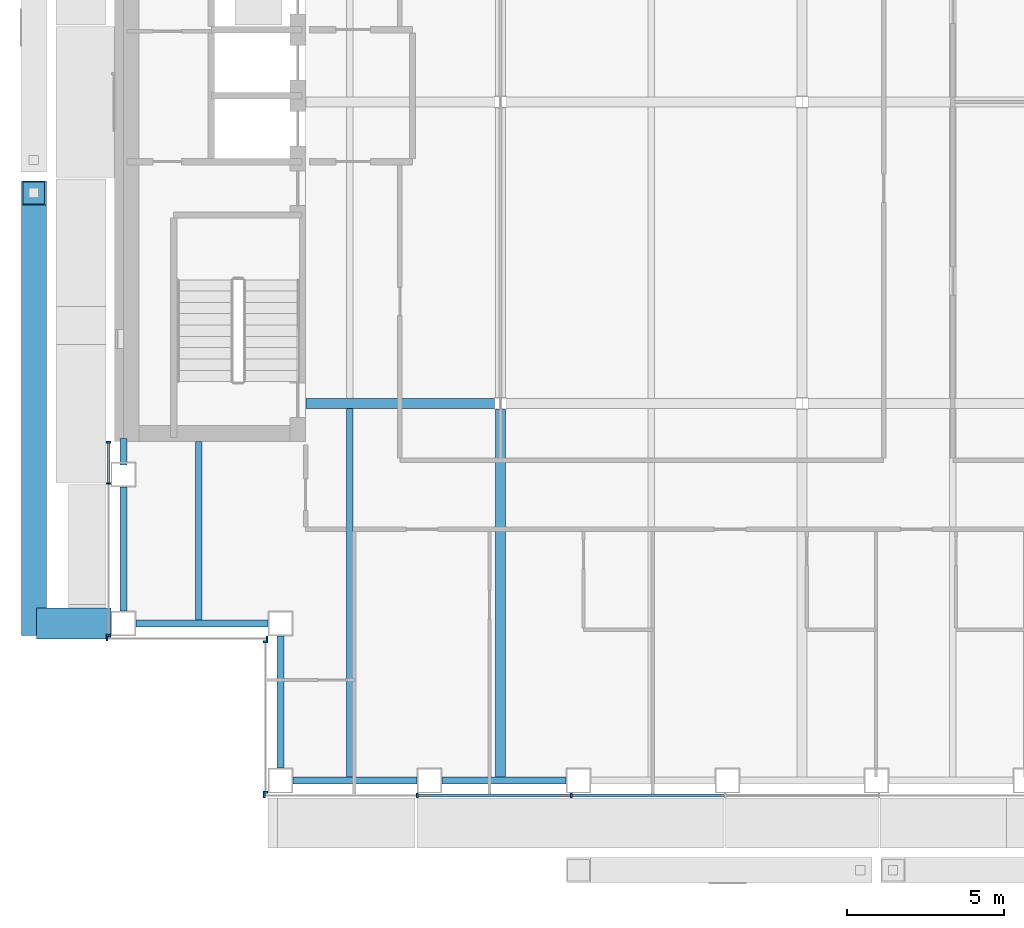
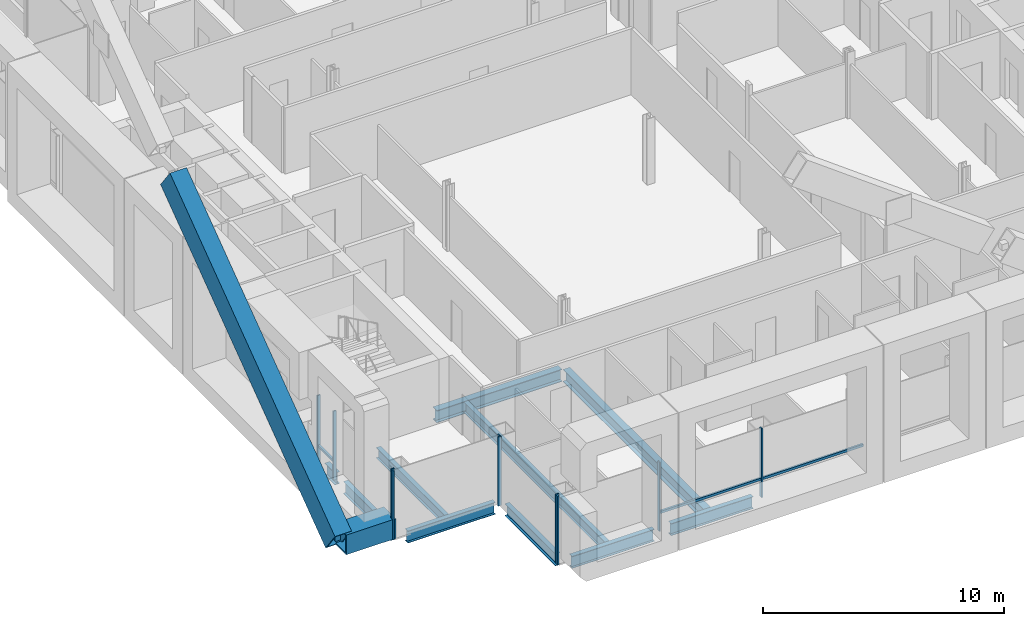
# One storey, part 3 of 22: 14 members, 11 beams, 4 elements without a shape of their own.
"""IFC4 building model written with IfcOpenShell, lengths in metres."""

from ifc_helpers import new_model, si_unit, direction, frame, origin, origin_2d, place, context, subcontext, project, spatial, rectangle, hollow_rectangle, i_section, extrude, material, material_profile, profile_set, type_object, element, aggregate, save


model = new_model("IFC4")

# Units and contexts
model_context = context("Model", 3, precision=1e-05, world=origin(), true_north=direction((0.0, 1.0)))
body_context = subcontext(model_context, "Body", "Model", "MODEL_VIEW")
ifc_project = project(units=[si_unit("LENGTHUNIT", "METRE"), si_unit("AREAUNIT", "SQUARE_METRE"), si_unit("VOLUMEUNIT", "CUBIC_METRE"), si_unit("PLANEANGLEUNIT", "RADIAN"), si_unit("MASSUNIT", "GRAM", prefix="KILO")], contexts=[model_context])

# Site, building, storey
site_placement = place(None, origin())
site = spatial("IfcSite", under=ifc_project, at=site_placement, CompositionType="ELEMENT")
building_placement = place(site_placement, origin())
building = spatial("IfcBuilding", under=site, at=building_placement, Name="Cobrizo Arcos Hotel Tower", CompositionType="ELEMENT")
storey_placement = place(building_placement, frame((0.0, 0.0, 162.0)))
storey = spatial("IfcBuildingStorey", under=building, at=storey_placement, Name="L41", CompositionType="ELEMENT", Elevation=162.0)

# Beam
ifc_material_1 = material(Name="Steel ASTM A572 Grade 50", Category="steel")
ifc_material_profile_1 = material_profile(ifc_material_1, hollow_rectangle(XDim=1.0, YDim=1.0, WallThickness=0.06005859375, at=origin_2d()), Name="BOX 1000X1000X60")
ifc_profile_set_1 = profile_set([ifc_material_profile_1], Name="Steel ASTM A572 Grade 50")
beam_type_1 = type_object("IfcBeamType", Name="BOX 1000X1000X60 brace connector strut", PredefinedType="BEAM", material=ifc_profile_set_1)
beam_1_placement = place(storey_placement, frame((-21.989990234375, -16.60009765625, 0.5), z_axis=(-1.0, 0.0, 0.0), x_axis=(0.0, -1.0, 0.0)))
element("IfcBeam", 1, at=beam_1_placement, inside=storey, type_object=beam_type_1, Name="Perimeter brace stub BS1, zone Z3, west face, offset -16.60 m, L41", PredefinedType="BEAM", context=body_context, shape_type="SweptSolid", body=[
    extrude(hollow_rectangle(XDim=1.0, YDim=1.0, WallThickness=0.06005859375, at=origin_2d()), origin(), (0.0, 0.0, 1.0), 2.380126953125),
])

# Member
ifc_material_profile_2 = material_profile(ifc_material_1, hollow_rectangle(XDim=0.800048828125, YDim=1.300048828125, WallThickness=0.06005859375, at=origin_2d()), Name="BOX 800X1300X60")
ifc_profile_set_2 = profile_set([ifc_material_profile_2], Name="Steel ASTM A572 Grade 50")
member_type_1 = type_object("IfcMemberType", Name="BOX 800X1300X60 perimeter brace", PredefinedType="BRACE", material=ifc_profile_set_2)
member_1_placement = place(storey_placement, frame((-24.449951171875, -16.60009765625, 0.5), z_axis=(0.0, 0.804630166974, 0.593776299961), x_axis=(-1.0, 0.0, 0.0)))
element("IfcMember", 2, at=member_1_placement, inside=storey, type_object=member_type_1, Name="Perimeter brace PBR3, zone Z3, west face, no. 09", PredefinedType="BRACE", context=body_context, shape_type="SweptSolid", body=[
    extrude(hollow_rectangle(XDim=0.800048828125, YDim=1.300048828125, WallThickness=0.06005859375, at=origin_2d()), origin(), (0.0, 0.0, 1.0), 17.033447265625),
])

# Curtain wall, members
ifc_material_2 = material(Name="Aluminium 6063-T6 anodised bronze", Category="aluminium")
curtain_wall_type = type_object("IfcCurtainWallType", Name="CW-A guest facade", PredefinedType="NOTDEFINED", material=ifc_material_2)
curtain_wall_1_placement = place(storey_placement, origin())
curtain_wall_1 = element("IfcCurtainWall", 3, at=curtain_wall_1_placement, inside=storey, type_object=curtain_wall_type, Name="CW-A L41 S face", PredefinedType="NOTDEFINED")
ifc_material_profile_3 = material_profile(ifc_material_2, rectangle(XDim=0.14990234375, YDim=0.06005859375, at=origin_2d()), Name="CW-A mullion 150x60")
ifc_profile_set_3 = profile_set([ifc_material_profile_3], Name="Aluminium 6063-T6 anodised bronze")
member_type_2 = type_object("IfcMemberType", Name="CW-A mullion 150x60", PredefinedType="MULLION", material=ifc_profile_set_3)
member_2_placement = place(storey_placement, frame((-17.1201171875, -22.074951171875, 0.0), z_axis=(0.0, 0.0, 1.0), x_axis=(0.0, -1.0, 0.0)))
member_2 = element("IfcMember", 4, at=member_2_placement, type_object=member_type_2, Name="CW-A mullion 1", PredefinedType="MULLION", context=body_context, shape_type="SweptSolid", body=[
    extrude(rectangle(XDim=0.14990234375, YDim=0.06005859375, at=origin_2d()), origin(), (0.0, 0.0, 1.0), 3.5),
])
member_3_placement = place(storey_placement, frame((-12.25, -22.074951171875, 0.0), z_axis=(0.0, 0.0, 1.0), x_axis=(0.0, -1.0, 0.0)))
member_3 = element("IfcMember", 5, at=member_3_placement, type_object=member_type_2, Name="CW-A mullion 2", PredefinedType="MULLION", context=body_context, shape_type="SweptSolid", body=[
    extrude(rectangle(XDim=0.14990234375, YDim=0.06005859375, at=origin_2d()), origin(), (0.0, 0.0, 1.0), 3.5),
])
member_4_placement = place(storey_placement, frame((-7.35009765625, -22.074951171875, 0.0), z_axis=(0.0, 0.0, 1.0), x_axis=(0.0, -1.0, 0.0)))
member_4 = element("IfcMember", 6, at=member_4_placement, type_object=member_type_2, Name="CW-A mullion 3", PredefinedType="MULLION", context=body_context, shape_type="SweptSolid", body=[
    extrude(rectangle(XDim=0.14990234375, YDim=0.06005859375, at=origin_2d()), origin(), (0.0, 0.0, 1.0), 3.5),
])

curtain_wall_2_placement = place(storey_placement, origin())
curtain_wall_2 = element("IfcCurtainWall", 7, at=curtain_wall_2_placement, inside=storey, type_object=curtain_wall_type, Name="CW-A L41 W face", PredefinedType="NOTDEFINED")
member_5_placement = place(storey_placement, frame((-22.074951171875, -10.830078125, 0.0), z_axis=(0.0, 0.0, 1.0), x_axis=(-1.0, 0.0, 0.0)))
member_5 = element("IfcMember", 8, at=member_5_placement, type_object=member_type_2, Name="CW-A mullion 1", PredefinedType="MULLION", context=body_context, shape_type="SweptSolid", body=[
    extrude(rectangle(XDim=0.14990234375, YDim=0.06005859375, at=origin_2d()), origin(), (0.0, 0.0, 1.0), 3.5),
])
member_6_placement = place(storey_placement, frame((-22.074951171875, -12.142822265625, 0.0), z_axis=(0.0, 0.0, 1.0), x_axis=(-1.0, 0.0, 0.0)))
member_6 = element("IfcMember", 9, at=member_6_placement, type_object=member_type_2, Name="CW-A mullion 2", PredefinedType="MULLION", context=body_context, shape_type="SweptSolid", body=[
    extrude(rectangle(XDim=0.14990234375, YDim=0.06005859375, at=origin_2d()), origin(), (0.0, 0.0, 1.0), 3.5),
])
member_7_placement = place(storey_placement, frame((-22.074951171875, -16.969970703125, 0.0), z_axis=(0.0, 0.0, 1.0), x_axis=(-1.0, 0.0, 0.0)))
member_7 = element("IfcMember", 10, at=member_7_placement, type_object=member_type_2, Name="CW-A mullion 3", PredefinedType="MULLION", context=body_context, shape_type="SweptSolid", body=[
    extrude(rectangle(XDim=0.14990234375, YDim=0.06005859375, at=origin_2d()), origin(), (0.0, 0.0, 1.0), 3.5),
])

curtain_wall_3_placement = place(storey_placement, origin())
curtain_wall_3 = element("IfcCurtainWall", 11, at=curtain_wall_3_placement, inside=storey, type_object=curtain_wall_type, Name="CW-A L41 S face", PredefinedType="NOTDEFINED")
member_8_placement = place(storey_placement, frame((-22.1201171875, -17.074951171875, 0.0), z_axis=(0.0, 0.0, 1.0), x_axis=(0.0, -1.0, 0.0)))
member_8 = element("IfcMember", 12, at=member_8_placement, type_object=member_type_2, Name="CW-A mullion 1", PredefinedType="MULLION", context=body_context, shape_type="SweptSolid", body=[
    extrude(rectangle(XDim=0.14990234375, YDim=0.06005859375, at=origin_2d()), origin(), (0.0, 0.0, 1.0), 3.5),
])
member_9_placement = place(storey_placement, frame((-17.030029296875, -17.074951171875, 0.0), z_axis=(0.0, 0.0, 1.0), x_axis=(0.0, -1.0, 0.0)))
member_9 = element("IfcMember", 13, at=member_9_placement, type_object=member_type_2, Name="CW-A mullion 2", PredefinedType="MULLION", context=body_context, shape_type="SweptSolid", body=[
    extrude(rectangle(XDim=0.14990234375, YDim=0.06005859375, at=origin_2d()), origin(), (0.0, 0.0, 1.0), 3.5),
])
aggregate(curtain_wall_3, [member_8, member_9])

curtain_wall_4_placement = place(storey_placement, origin())
curtain_wall_4 = element("IfcCurtainWall", 14, at=curtain_wall_4_placement, inside=storey, type_object=curtain_wall_type, Name="CW-A L41 W face", PredefinedType="NOTDEFINED")
member_10_placement = place(storey_placement, frame((-17.074951171875, -17.179931640625, 0.0), z_axis=(0.0, 0.0, 1.0), x_axis=(-1.0, 0.0, 0.0)))
member_10 = element("IfcMember", 15, at=member_10_placement, type_object=member_type_2, Name="CW-A mullion 1", PredefinedType="MULLION", context=body_context, shape_type="SweptSolid", body=[
    extrude(rectangle(XDim=0.14990234375, YDim=0.06005859375, at=origin_2d()), origin(), (0.0, 0.0, 1.0), 3.5),
])
member_11_placement = place(storey_placement, frame((-17.074951171875, -21.969970703125, 0.0), z_axis=(0.0, 0.0, 1.0), x_axis=(-1.0, 0.0, 0.0)))
member_11 = element("IfcMember", 16, at=member_11_placement, type_object=member_type_2, Name="CW-A mullion 2", PredefinedType="MULLION", context=body_context, shape_type="SweptSolid", body=[
    extrude(rectangle(XDim=0.14990234375, YDim=0.06005859375, at=origin_2d()), origin(), (0.0, 0.0, 1.0), 3.5),
])
aggregate(curtain_wall_4, [member_10, member_11])

# Member
ifc_material_profile_4 = material_profile(ifc_material_2, rectangle(XDim=0.10009765625, YDim=0.1201171875, at=origin_2d()), Name="CW-A transom 120x100")
ifc_profile_set_4 = profile_set([ifc_material_profile_4], Name="Aluminium 6063-T6 anodised bronze")
member_type_3 = type_object("IfcMemberType", Name="CW-A transom 120x100", PredefinedType="USERDEFINED", material=ifc_profile_set_4)
member_12_placement = place(storey_placement, frame((-12.219970703125, -22.074951171875, 0.929931640625), z_axis=(1.0, 0.0, 0.0), x_axis=(0.0, 1.0, 0.0)))
member_12 = element("IfcMember", 17, at=member_12_placement, type_object=member_type_3, Name="CW-A transom 1457", ObjectType="TRANSOM", PredefinedType="USERDEFINED", context=body_context, shape_type="SweptSolid", body=[
    extrude(rectangle(XDim=0.10009765625, YDim=0.1201171875, at=origin_2d()), origin(), (0.0, 0.0, 1.0), 4.840087890625),
])

member_13_placement = place(storey_placement, frame((-7.320068359375, -22.074951171875, 0.929931640625), z_axis=(1.0, 0.0, 0.0), x_axis=(0.0, 1.0, 0.0)))
member_13 = element("IfcMember", 18, at=member_13_placement, type_object=member_type_3, Name="CW-A transom 1458", ObjectType="TRANSOM", PredefinedType="USERDEFINED", context=body_context, shape_type="SweptSolid", body=[
    extrude(rectangle(XDim=0.10009765625, YDim=0.1201171875, at=origin_2d()), origin(), (0.0, 0.0, 1.0), 4.840087890625),
])

aggregate(curtain_wall_1, [member_2, member_3, member_4, member_12, member_13])

member_14_placement = place(storey_placement, frame((-22.074951171875, -10.860107421875, 0.929931640625), z_axis=(0.0, -1.0, 0.0), x_axis=(1.0, 0.0, 0.0)))
member_14 = element("IfcMember", 19, at=member_14_placement, type_object=member_type_3, Name="CW-A transom 1482", ObjectType="TRANSOM", PredefinedType="USERDEFINED", context=body_context, shape_type="SweptSolid", body=[
    extrude(rectangle(XDim=0.10009765625, YDim=0.1201171875, at=origin_2d()), origin(), (0.0, 0.0, 1.0), 1.252685546875),
])

aggregate(curtain_wall_2, [member_5, member_6, member_7, member_14])

# Beams
ifc_material_3 = material(Name="Steel ASTM A992 Grade 50", Category="steel")
ifc_material_profile_5 = material_profile(ifc_material_3, i_section(OverallWidth=0.209228515625, OverallDepth=0.533447265625, WebThickness=0.01025390625, FlangeThickness=0.015625, at=origin_2d()), Name="W21X62")
ifc_profile_set_5 = profile_set([ifc_material_profile_5], Name="Steel ASTM A992 Grade 50")
beam_type_2 = type_object("IfcBeamType", Name="W21X62 joist", PredefinedType="JOIST", material=ifc_profile_set_5)
beam_2_placement = place(storey_placement, frame((-19.199951171875, -16.510009765625, -0.416748046875), z_axis=(0.0, 1.0, 0.0), x_axis=(-1.0, 0.0, 0.0)))
element("IfcBeam", 20, at=beam_2_placement, inside=storey, type_object=beam_type_2, Name="Floor joist J1, L41, no. 001", PredefinedType="JOIST", context=body_context, shape_type="SweptSolid", body=[
    extrude(i_section(OverallWidth=0.209228515625, OverallDepth=0.533447265625, WebThickness=0.01025390625, FlangeThickness=0.015625, at=origin_2d()), origin(), (0.0, 0.0, 1.0), 5.699951171875),
])
beam_3_placement = place(storey_placement, frame((-14.39990234375, -21.510009765625, -0.416748046875), z_axis=(0.0, 1.0, 0.0), x_axis=(-1.0, 0.0, 0.0)))
element("IfcBeam", 21, at=beam_3_placement, inside=storey, type_object=beam_type_2, Name="Floor joist J1, L41, no. 003", PredefinedType="JOIST", context=body_context, shape_type="SweptSolid", body=[
    extrude(i_section(OverallWidth=0.209228515625, OverallDepth=0.533447265625, WebThickness=0.01025390625, FlangeThickness=0.015625, at=origin_2d()), origin(), (0.0, 0.0, 1.0), 11.74609375),
])
ifc_material_profile_6 = material_profile(ifc_material_3, i_section(OverallWidth=0.32763671875, OverallDepth=0.622314453125, WebThickness=0.015380859375, FlangeThickness=0.0244140625, at=origin_2d()), Name="W24X131")
ifc_profile_set_6 = profile_set([ifc_material_profile_6], Name="Steel ASTM A992 Grade 50")
beam_type_3 = type_object("IfcBeamType", Name="W24X131 girder", PredefinedType="BEAM", material=ifc_profile_set_6)
beam_4_placement = place(storey_placement, frame((-15.7900390625, -9.60009765625, -0.461181640625), z_axis=(1.0, 0.0, 0.0), x_axis=(0.0, 1.0, 0.0)))
element("IfcBeam", 22, at=beam_4_placement, inside=storey, type_object=beam_type_3, Name="Floor girder G1, L41, no. 001", PredefinedType="BEAM", context=body_context, shape_type="SweptSolid", body=[
    extrude(i_section(OverallWidth=0.32763671875, OverallDepth=0.622314453125, WebThickness=0.015380859375, FlangeThickness=0.0244140625, at=origin_2d()), origin(), (0.0, 0.0, 1.0), 6.00341796875),
])
beam_5_placement = place(storey_placement, frame((-9.60009765625, -21.510009765625, -0.461181640625), z_axis=(0.0, 1.0, 0.0), x_axis=(-1.0, 0.0, 0.0)))
element("IfcBeam", 23, at=beam_5_placement, inside=storey, type_object=beam_type_3, Name="Floor girder G1, L41, no. 013", PredefinedType="BEAM", context=body_context, shape_type="SweptSolid", body=[
    extrude(i_section(OverallWidth=0.32763671875, OverallDepth=0.622314453125, WebThickness=0.015380859375, FlangeThickness=0.0244140625, at=origin_2d()), origin(), (0.0, 0.0, 1.0), 11.723388671875),
])
ifc_material_profile_7 = material_profile(ifc_material_3, i_section(OverallWidth=0.228271484375, OverallDepth=0.607177734375, WebThickness=0.01123046875, FlangeThickness=0.017333984375, at=origin_2d()), Name="W24X76")
ifc_profile_set_7 = profile_set([ifc_material_profile_7], Name="Steel ASTM A992 Grade 50")
beam_type_4 = type_object("IfcBeamType", Name="W24X76 spandrel", PredefinedType="SPANDREL", material=ifc_profile_set_7)
beam_6_placement = place(storey_placement, frame((-16.199951171875, -21.60009765625, -0.45361328125), z_axis=(1.0, 0.0, 0.0), x_axis=(0.0, 1.0, 0.0)))
element("IfcBeam", 24, at=beam_6_placement, inside=storey, type_object=beam_type_4, Name="Spandrel beam W24X76, L41, no. 001", PredefinedType="SPANDREL", context=body_context, shape_type="SweptSolid", body=[
    extrude(i_section(OverallWidth=0.228271484375, OverallDepth=0.607177734375, WebThickness=0.01123046875, FlangeThickness=0.017333984375, at=origin_2d()), origin(), (0.0, 0.0, 1.0), 3.94287109375),
])
beam_7_placement = place(storey_placement, frame((-11.45703125, -21.60009765625, -0.45361328125), z_axis=(1.0, 0.0, 0.0), x_axis=(0.0, 1.0, 0.0)))
element("IfcBeam", 25, at=beam_7_placement, inside=storey, type_object=beam_type_4, Name="Spandrel beam W24X76, L41, no. 002", PredefinedType="SPANDREL", context=body_context, shape_type="SweptSolid", body=[
    extrude(i_section(OverallWidth=0.228271484375, OverallDepth=0.607177734375, WebThickness=0.01123046875, FlangeThickness=0.017333984375, at=origin_2d()), origin(), (0.0, 0.0, 1.0), 3.943115234375),
])
beam_8_placement = place(storey_placement, frame((-21.60009765625, -10.7099609375, -0.45361328125), z_axis=(0.0, -1.0, 0.0), x_axis=(1.0, 0.0, 0.0)))
element("IfcBeam", 26, at=beam_8_placement, inside=storey, type_object=beam_type_4, Name="Spandrel beam W24X76, L41, no. 027", PredefinedType="SPANDREL", context=body_context, shape_type="SweptSolid", body=[
    extrude(i_section(OverallWidth=0.228271484375, OverallDepth=0.607177734375, WebThickness=0.01123046875, FlangeThickness=0.017333984375, at=origin_2d()), origin(), (0.0, 0.0, 1.0), 0.846923828125),
])
beam_9_placement = place(storey_placement, frame((-21.60009765625, -12.257080078125, -0.45361328125), z_axis=(0.0, -1.0, 0.0), x_axis=(1.0, 0.0, 0.0)))
element("IfcBeam", 27, at=beam_9_placement, inside=storey, type_object=beam_type_4, Name="Spandrel beam W24X76, L41, no. 028", PredefinedType="SPANDREL", context=body_context, shape_type="SweptSolid", body=[
    extrude(i_section(OverallWidth=0.228271484375, OverallDepth=0.607177734375, WebThickness=0.01123046875, FlangeThickness=0.017333984375, at=origin_2d()), origin(), (0.0, 0.0, 1.0), 3.94287109375),
])
for number, where, z_axis, x_axis, name in (
    (28, (-21.199951171875, -16.60009765625, -0.45361328125), (1.0, 0.0, 0.0), (0.0, 1.0, 0.0), "Spandrel beam W24X76, L41, no. 029"),
    (29, (-16.60009765625, -17.0, -0.45361328125), (0.0, -1.0, 0.0), (1.0, 0.0, 0.0), "Spandrel beam W24X76, L41, no. 030"),
):
    element("IfcBeam", number, at=place(storey_placement, frame(where, z_axis=z_axis, x_axis=x_axis)), inside=storey, type_object=beam_type_4, Name=name, PredefinedType="SPANDREL", context=body_context, shape_type="SweptSolid", body=[
        extrude(i_section(OverallWidth=0.228271484375, OverallDepth=0.607177734375, WebThickness=0.01123046875, FlangeThickness=0.017333984375, at=origin_2d()), origin(), (0.0, 0.0, 1.0), 4.199951171875),
    ])

save(model, "model.ifc")
